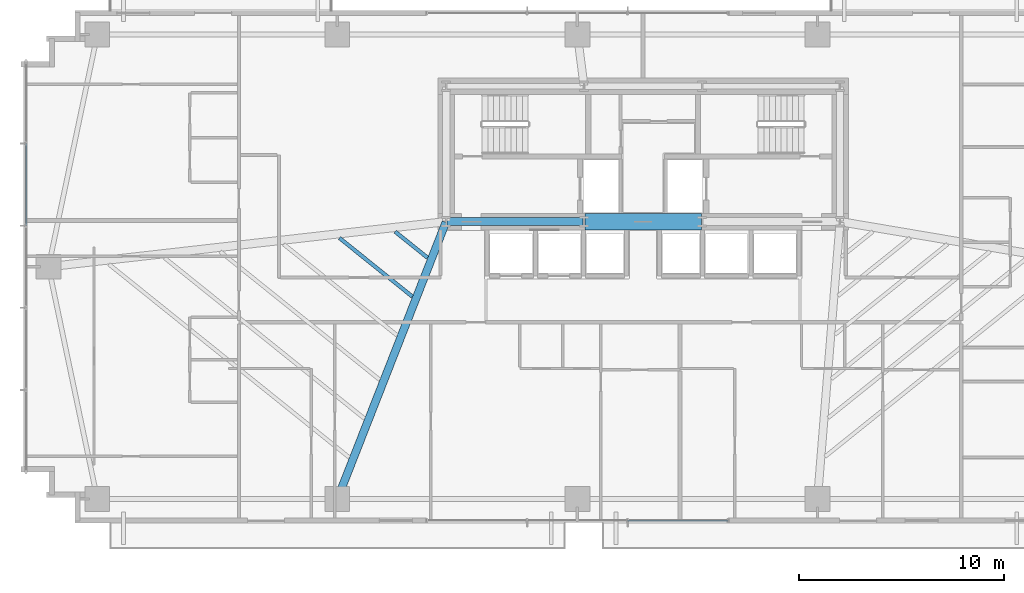
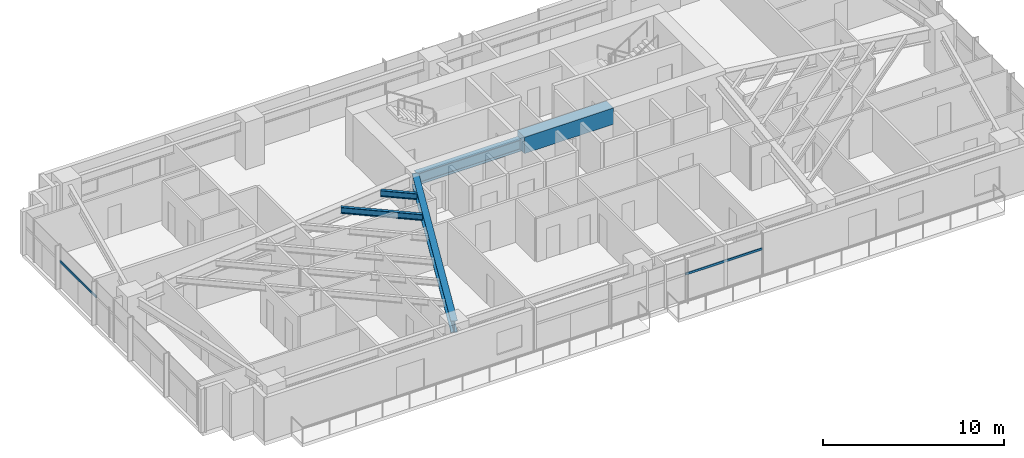
# One storey, part 7 of 25: 5 beams, 2 members, 2 elements without a shape of their own.
"""IFC4 building model written with IfcOpenShell, lengths in metres."""

import ifcopenshell
import ifcopenshell.guid

model = None  # the IFC model being written
_history = None  # IfcOwnerHistory: only IFC2X3 demands one
_inside = {}  # id of a spatial element -> (the spatial element, [elements in it])
_under = {}  # id of a project, library or spatial element -> (it, [spatial elements below it])
_declared = {}  # id of a project -> (the project, [libraries it declares])
_typed = {}  # id of a type object -> (the type object, [elements of that type])
_made_of = {}  # id of a material, layer set ... -> (it, [elements and type objects made of it])


def new_model(schema):
    """Start an empty IFC model of exactly this schema.

    Asked for "IFC4X3", IfcOpenShell would pick the latest addendum, in which some entities
    have other attributes; the version numbers below select the first issue.
    IFC2X3 requires an IfcOwnerHistory on every rooted entity: one is made here for all.
    """
    global model, _history
    if schema == "IFC4X3":
        model = ifcopenshell.file(schema_version=(4, 3, 0, 0))
    else:
        model = ifcopenshell.file(schema=schema)
    _inside.clear()
    _under.clear()
    _declared.clear()
    _typed.clear()
    _made_of.clear()
    _history = None
    if model.schema == "IFC2X3":
        org = make("IfcOrganization", Name="unknown")
        user = make(
            "IfcPersonAndOrganization",
            ThePerson=make("IfcPerson", FamilyName="unknown"),
            TheOrganization=org,
        )
        app = make(
            "IfcApplication",
            ApplicationDeveloper=org,
            Version="unknown",
            ApplicationFullName="unknown",
            ApplicationIdentifier="unknown",
        )
        _history = make(
            "IfcOwnerHistory",
            OwningUser=user,
            OwningApplication=app,
            ChangeAction="ADDED",
            CreationDate=0,
        )
    return model


def make(cls, **values):
    """One entity of the class cls with the attributes given. An attribute that is None is left unset."""
    return model.create_entity(
        cls, **{name: value for name, value in values.items() if value is not None}
    )


def rooted(cls, **values):
    """An entity with a GlobalId (a new one), such as an element, a storey or a relation."""
    return make(cls, GlobalId=ifcopenshell.guid.new(), OwnerHistory=_history, **values)


def si_unit(unit_type, name, prefix=None):
    """IfcSIUnit, for example si_unit("LENGTHUNIT", "METRE", prefix="MILLI")."""
    return make("IfcSIUnit", UnitType=unit_type, Prefix=prefix, Name=name)


def assignment(units):
    """IfcUnitAssignment: the units of a project."""
    return None if units is None else make("IfcUnitAssignment", Units=units)


def point(xyz):
    """IfcCartesianPoint."""
    return None if xyz is None else make("IfcCartesianPoint", Coordinates=xyz)


def direction(xyz):
    """IfcDirection."""
    return None if xyz is None else make("IfcDirection", DirectionRatios=xyz)


def frame(location, z_axis=None, x_axis=None):
    """IfcAxis2Placement3D, a coordinate frame: its origin and axes. An axis left out is left unset."""
    return make(
        "IfcAxis2Placement3D",
        Location=point(location),
        Axis=direction(z_axis),
        RefDirection=direction(x_axis),
    )


def frame_2d(location, x_axis=None):
    """IfcAxis2Placement2D, a coordinate frame in the plane: its origin and x axis."""
    return make(
        "IfcAxis2Placement2D", Location=point(location), RefDirection=direction(x_axis)
    )


def origin():
    """The frame at (0, 0, 0) with its axes left unset."""
    return frame((0.0, 0.0, 0.0))


def origin_2d():
    """The frame at (0, 0) in the plane with its x axis left unset."""
    return frame_2d((0.0, 0.0))


def place(relative_to, where):
    """IfcLocalPlacement: puts the frame where relative to a parent placement (None: the world)."""
    return make(
        "IfcLocalPlacement", PlacementRelTo=relative_to, RelativePlacement=where
    )


def context(
    kind, dimensions, precision=None, world=None, true_north=None, identifier=None
):
    """IfcGeometricRepresentationContext, for example the 3D "Model" context."""
    return make(
        "IfcGeometricRepresentationContext",
        ContextIdentifier=identifier,
        ContextType=kind,
        CoordinateSpaceDimension=dimensions,
        Precision=precision,
        WorldCoordinateSystem=world,
        TrueNorth=true_north,
    )


def subcontext(parent, identifier, kind, view, scale=None):
    """IfcGeometricRepresentationSubContext, for example "Body" below "Model"."""
    return make(
        "IfcGeometricRepresentationSubContext",
        ContextIdentifier=identifier,
        ContextType=kind,
        ParentContext=parent,
        TargetScale=scale,
        TargetView=view,
    )


def project(units=None, contexts=None):
    """IfcProject with its units and contexts."""
    return rooted(
        "IfcProject",
        Name="project",
        RepresentationContexts=contexts,
        UnitsInContext=assignment(units),
    )


def spatial(cls, under=None, at=None, **own):
    """A site, building, storey or space (cls), placed at a placement, below another one or the project."""
    s = rooted(cls, ObjectPlacement=at, **own)
    if under is not None:
        _under.setdefault(under.id(), (under, []))[1].append(s)
    return s


def profile(cls, at=None, kind="AREA", **sizes):
    """A parametric profile (cls). Its sizes go by their IFC names, for example OverallWidth=200.0."""
    return make(cls, ProfileType=kind, Position=at, **sizes)


def rectangle(**sizes):
    """IfcRectangleProfileDef."""
    return profile("IfcRectangleProfileDef", **sizes)


def hollow_rectangle(**sizes):
    """IfcRectangleHollowProfileDef."""
    return profile("IfcRectangleHollowProfileDef", **sizes)


def i_section(**sizes):
    """IfcIShapeProfileDef."""
    return profile("IfcIShapeProfileDef", **sizes)


def extrude(swept, where, along, depth):
    """IfcExtrudedAreaSolid: the profile swept, set in the frame where, extruded along a direction by depth."""
    return make(
        "IfcExtrudedAreaSolid",
        SweptArea=swept,
        Position=where,
        ExtrudedDirection=direction(along),
        Depth=depth,
    )


def shape(context_of_items, identifier, shape_type, items):
    """IfcShapeRepresentation: the items that make up one representation, for example the "Body"."""
    return make(
        "IfcShapeRepresentation",
        ContextOfItems=context_of_items,
        RepresentationIdentifier=identifier,
        RepresentationType=shape_type,
        Items=items,
    )


def source(mapping_origin, context_of_items, identifier, shape_type, items):
    """IfcRepresentationMap: a shape defined once, which mapped items show again and again."""
    return make(
        "IfcRepresentationMap",
        MappingOrigin=mapping_origin,
        MappedRepresentation=shape(context_of_items, identifier, shape_type, items),
    )


def transform(
    local_origin,
    x_axis=None,
    y_axis=None,
    z_axis=None,
    scale=None,
    scale2=None,
    scale3=None,
    uniform=True,
):
    """IfcCartesianTransformationOperator3D, or its non-uniform kind. x_axis, y_axis, z_axis: its Axis1, 2, 3."""
    if uniform:
        return make(
            "IfcCartesianTransformationOperator3D",
            Axis1=direction(x_axis),
            Axis2=direction(y_axis),
            LocalOrigin=point(local_origin),
            Scale=scale,
            Axis3=direction(z_axis),
        )
    return make(
        "IfcCartesianTransformationOperator3DnonUniform",
        Axis1=direction(x_axis),
        Axis2=direction(y_axis),
        LocalOrigin=point(local_origin),
        Scale=scale,
        Axis3=direction(z_axis),
        Scale2=scale2,
        Scale3=scale3,
    )


def mapped(mapping_source, mapping_target):
    """IfcMappedItem: shows the shape of a source again, moved by a transform."""
    return make(
        "IfcMappedItem", MappingSource=mapping_source, MappingTarget=mapping_target
    )


def material(Name=None, Category=None):
    """IfcMaterial."""
    return make("IfcMaterial", Name=Name, Category=Category)


def material_profile(
    of_material, cross_section, Name=None, Category=None, Priority=None
):
    """IfcMaterialProfile: a cross section and its material."""
    return make(
        "IfcMaterialProfile",
        Name=Name,
        Material=of_material,
        Profile=cross_section,
        Priority=Priority,
        Category=Category,
    )


def profile_set(profiles, Name=None, composite=None):
    """IfcMaterialProfileSet."""
    return make(
        "IfcMaterialProfileSet",
        Name=Name,
        MaterialProfiles=profiles,
        CompositeProfile=composite,
    )


def made_of(thing, what):
    """Note that an element or type object is made of a material, layer set ...; save() writes the relation."""
    if what is not None:
        _made_of.setdefault(what.id(), (what, []))[1].append(thing)
    return thing


def type_object(cls, material=None, **own):
    """A type object (cls), such as IfcWallType, which elements share."""
    return made_of(rooted(cls, **own), material)


def type_shapes(of_type, sources):
    """Give a type object the sources (RepresentationMaps) that its elements show as mapped items."""
    of_type.RepresentationMaps = sources


def element(
    cls,
    number,
    at=None,
    inside=None,
    cuts=None,
    type_object=None,
    material=None,
    context=None,
    identifier="Body",
    shape_type=None,
    held_by="IfcProductDefinitionShape",
    body=None,
    shapes=None,
    **own,
):
    """One element of the class cls, such as IfcWall. Its Tag is "e" and its number.

    at: its placement. inside: the storey or other place that contains it. cuts: it is an
    opening in that element (IfcRelVoidsElement). A single representation is given by context,
    identifier, shape_type and body (its items); several are given by shapes. held_by: the class
    of the entity that holds the representations. save() writes the other relations.
    """
    e = rooted(cls, Tag="e%d" % number, ObjectPlacement=at, **own)
    if body is not None:
        shapes = [shape(context, identifier, shape_type, body)]
    if shapes is not None:
        e.Representation = make(held_by, Representations=shapes)
    if inside is not None:
        _inside.setdefault(inside.id(), (inside, []))[1].append(e)
    if cuts is not None:
        rooted(
            "IfcRelVoidsElement", RelatingBuildingElement=cuts, RelatedOpeningElement=e
        )
    if type_object is not None:
        _typed.setdefault(type_object.id(), (type_object, []))[1].append(e)
    return made_of(e, material)


def aggregate(whole, parts):
    """IfcRelAggregates: a whole, such as a stair, and the parts it consists of."""
    return rooted("IfcRelAggregates", RelatingObject=whole, RelatedObjects=parts)


def save(model, path):
    """Write the relations noted so far, then the file.

    IfcRelAggregates (storeys below a building ...), IfcRelContainedInSpatialStructure (elements
    in a storey), IfcRelDefinesByType, IfcRelAssociatesMaterial and IfcRelDeclares: one each for
    every whole, place, type object, material and project.
    """
    for whole, parts in _under.values():
        aggregate(whole, parts)
    for where, things in _inside.values():
        rooted(
            "IfcRelContainedInSpatialStructure",
            RelatedElements=things,
            RelatingStructure=where,
        )
    for kind, things in _typed.values():
        rooted("IfcRelDefinesByType", RelatedObjects=things, RelatingType=kind)
    for what, things in _made_of.values():
        rooted("IfcRelAssociatesMaterial", RelatedObjects=things, RelatingMaterial=what)
    for by, libraries in _declared.values():
        rooted("IfcRelDeclares", RelatingContext=by, RelatedDefinitions=libraries)
    model.write(path)


model = new_model("IFC4")

# Units and contexts
model_context = context("Model", 3, precision=1e-05, world=origin(), true_north=direction((0.0, 1.0)))
body_context = subcontext(model_context, "Body", "Model", "MODEL_VIEW")
ifc_project = project(units=[si_unit("LENGTHUNIT", "METRE"), si_unit("AREAUNIT", "SQUARE_METRE"), si_unit("VOLUMEUNIT", "CUBIC_METRE"), si_unit("PLANEANGLEUNIT", "RADIAN"), si_unit("MASSUNIT", "GRAM", prefix="KILO")], contexts=[model_context])

# Site, building, storey
site_placement = place(None, origin())
site = spatial("IfcSite", under=ifc_project, at=site_placement, CompositionType="ELEMENT")
building_placement = place(site_placement, origin())
building = spatial("IfcBuilding", under=site, at=building_placement, Name="Astriad Promenade Condominiums", CompositionType="ELEMENT")
storey_placement = place(building_placement, frame((0.0, 0.0, 35.800048828125)))
storey = spatial("IfcBuildingStorey", under=building, at=storey_placement, Name="L09", CompositionType="ELEMENT", Elevation=35.800048828125)

# Beams
ifc_material_1 = material(Name="Steel ASTM A992 Grade 50", Category="steel")
ifc_material_profile_1 = material_profile(ifc_material_1, i_section(OverallWidth=0.3837890625, OverallDepth=0.785888671875, WebThickness=0.019775390625, FlangeThickness=0.033447265625, FilletRadius=0.021484375, at=origin_2d()), Name="W30X211")
ifc_profile_set_1 = profile_set([ifc_material_profile_1], Name="Steel ASTM A992 Grade 50")
beam_type_1 = type_object("IfcBeamType", Name="STEEL FLOOR GIRDER W30X211", PredefinedType="BEAM", material=ifc_profile_set_1)
shared_shape_1 = source(origin(), body_context, "Body", "SweptSolid", [
    extrude(i_section(OverallWidth=0.3837890625, OverallDepth=0.785888671875, WebThickness=0.019775390625, FlangeThickness=0.033447265625, FilletRadius=0.021484375, at=origin_2d()), origin(), (0.0, 0.0, 1.0), 6.64013671875),
])
beam_1_placement = place(storey_placement, frame((26.43994140625, 17.39990234375, 2.547119140625), z_axis=(1.0, 0.0, 0.0), x_axis=(0.0, 1.0, 0.0)))
element("IfcBeam", 1, at=beam_1_placement, inside=storey, type_object=beam_type_1, Name="Core Ring Beam CG-S1-L09", PredefinedType="BEAM", context=body_context, shape_type="MappedRepresentation", body=[
    mapped(shared_shape_1, transform((0.0, 0.0, 0.0), scale=1.0)),
])
ifc_material_2 = material(Name="Concrete C80/95", Category="concrete")
ifc_material_profile_2 = material_profile(ifc_material_2, rectangle(XDim=0.800048828125, YDim=1.10009765625, at=origin_2d()), Name="RC-BM-800X1100")
ifc_profile_set_2 = profile_set([ifc_material_profile_2], Name="Concrete C80/95")
beam_type_2 = type_object("IfcBeamType", Name="CONCRETE CORE COUPLING LINTEL 800X1100", PredefinedType="LINTEL", material=ifc_profile_set_2)
shared_shape_2 = source(origin(), body_context, "Body", "SweptSolid", [
    extrude(rectangle(XDim=0.800048828125, YDim=1.10009765625, at=origin_2d()), origin(), (0.0, 0.0, 1.0), 5.68017578125),
])
type_shapes(beam_type_2, [shared_shape_2])
beam_2_placement = place(storey_placement, frame((33.159912109375, 17.39990234375, 2.6298828125), z_axis=(1.0, 0.0, 0.0), x_axis=(0.0, 1.0, 0.0)))
element("IfcBeam", 2, at=beam_2_placement, inside=storey, type_object=beam_type_2, Name="Core Ring Beam CG-S2-L09", PredefinedType="LINTEL", context=body_context, shape_type="MappedRepresentation", body=[
    mapped(shared_shape_2, transform((0.0, 0.0, 0.0), scale=1.0)),
])
shared_shape_3 = source(origin(), body_context, "Body", "SweptSolid", [
    extrude(i_section(OverallWidth=0.3837890625, OverallDepth=0.785888671875, WebThickness=0.019775390625, FlangeThickness=0.033447265625, FilletRadius=0.021484375, at=origin_2d()), origin(), (0.0, 0.0, 1.0), 14.44189453125),
])
type_shapes(beam_type_1, [shared_shape_1, shared_shape_3])
beam_3_placement = place(storey_placement, frame((21.114501953125, 3.917236328125, 2.547119140625), z_axis=(0.364981228757, 0.931014877784, 0.0), x_axis=(-0.931014877784, 0.364981228757, 0.0)))
element("IfcBeam", 3, at=beam_3_placement, inside=storey, type_object=beam_type_1, Name="Primary Floor Girder PG-W2-L09", PredefinedType="BEAM", context=body_context, shape_type="MappedRepresentation", body=[
    mapped(shared_shape_3, transform((0.0, 0.0, 0.0), scale=1.0)),
])
ifc_material_profile_3 = material_profile(ifc_material_1, i_section(OverallWidth=0.180908203125, OverallDepth=0.417236328125, WebThickness=0.010986328125, FlangeThickness=0.018310546875, FilletRadius=0.013916015625, at=origin_2d()), Name="W16X57")
ifc_profile_set_3 = profile_set([ifc_material_profile_3], Name="Steel ASTM A992 Grade 50")
beam_type_3 = type_object("IfcBeamType", Name="STEEL FLOOR JOIST W16X57", PredefinedType="JOIST", material=ifc_profile_set_3)
shared_shape_4 = source(origin(), body_context, "Body", "SweptSolid", [
    extrude(i_section(OverallWidth=0.180908203125, OverallDepth=0.417236328125, WebThickness=0.010986328125, FlangeThickness=0.018310546875, FilletRadius=0.013916015625, at=origin_2d()), origin(), (0.0, 0.0, 1.0), 4.555419921875),
])
beam_4_placement = place(storey_placement, frame((21.201416015625, 16.600830078125, 2.7314453125), z_axis=(0.779365920634, -0.626569039894, 0.0), x_axis=(0.626569039894, 0.779365920634, 0.0)))
element("IfcBeam", 4, at=beam_4_placement, inside=storey, type_object=beam_type_3, Name="Secondary Composite Floor Joist JW1-5-L09", PredefinedType="JOIST", context=body_context, shape_type="MappedRepresentation", body=[
    mapped(shared_shape_4, transform((0.0, 0.0, 0.0), scale=1.0)),
])
shared_shape_5 = source(origin(), body_context, "Body", "SweptSolid", [
    extrude(i_section(OverallWidth=0.180908203125, OverallDepth=0.417236328125, WebThickness=0.010986328125, FlangeThickness=0.018310546875, FilletRadius=0.013916015625, at=origin_2d()), origin(), (0.0, 0.0, 1.0), 2.02587890625),
])
type_shapes(beam_type_3, [shared_shape_4, shared_shape_5])
beam_5_placement = place(storey_placement, frame((23.914794921875, 16.90869140625, 2.7314453125), z_axis=(0.779373362939, -0.626559782576, 0.0), x_axis=(0.626559782576, 0.779373362939, 0.0)))
element("IfcBeam", 5, at=beam_5_placement, inside=storey, type_object=beam_type_3, Name="Secondary Composite Floor Joist JW1-6-L09", PredefinedType="JOIST", context=body_context, shape_type="MappedRepresentation", body=[
    mapped(shared_shape_5, transform((0.0, 0.0, 0.0), scale=1.0)),
])

# Curtain wall, member
ifc_material_3 = material(Name="Anodised aluminium Black Dark Glass Unitised", Category="aluminium")
curtain_wall_type = type_object("IfcCurtainWallType", Name="CW-B1-DARK", PredefinedType="USERDEFINED", material=ifc_material_3)
curtain_wall_1_placement = place(storey_placement, origin())
curtain_wall_1 = element("IfcCurtainWall", 6, at=curtain_wall_1_placement, inside=storey, type_object=curtain_wall_type, Name="CW-L09-W", ObjectType="UNITISED_CURTAIN_WALL", PredefinedType="USERDEFINED")
ifc_material_4 = material(Name="Anodised aluminium 6063-T6 Black", Category="aluminium")
ifc_material_profile_4 = material_profile(ifc_material_4, hollow_rectangle(XDim=0.074951171875, YDim=0.14990234375, WallThickness=0.004150390625, at=origin_2d()), Name="ALU-TRN-75X150")
ifc_profile_set_4 = profile_set([ifc_material_profile_4], Name="Anodised aluminium 6063-T6 Black")
member_type = type_object("IfcMemberType", Name="TRN-ALU-TRN-75X150", PredefinedType="USERDEFINED", material=ifc_profile_set_4)
shared_shape_6 = source(origin(), body_context, "Body", "SweptSolid", [
    extrude(hollow_rectangle(XDim=0.074951171875, YDim=0.14990234375, WallThickness=0.004150390625, at=origin_2d()), origin(), (0.0, 0.0, 1.0), 4.0),
])
member_1_placement = place(storey_placement, frame((5.929931640625, 17.199951171875, 1.82275390625), z_axis=(0.0, 1.0, 0.0), x_axis=(-1.0, 0.0, 0.0)))
member_1 = element("IfcMember", 7, at=member_1_placement, type_object=member_type, Name="CW-L09-W-TRN-03-0", ObjectType="TRANSOM", PredefinedType="USERDEFINED", context=body_context, shape_type="MappedRepresentation", body=[
    mapped(shared_shape_6, transform((0.0, 0.0, 0.0), scale=1.0)),
])
aggregate(curtain_wall_1, [member_1])

curtain_wall_2_placement = place(storey_placement, origin())
curtain_wall_2 = element("IfcCurtainWall", 8, at=curtain_wall_2_placement, inside=storey, type_object=curtain_wall_type, Name="CW-L09-S", ObjectType="UNITISED_CURTAIN_WALL", PredefinedType="USERDEFINED")
shared_shape_7 = source(origin(), body_context, "Body", "SweptSolid", [
    extrude(hollow_rectangle(XDim=0.074951171875, YDim=0.14990234375, WallThickness=0.004150390625, at=origin_2d()), origin(), (0.0, 0.0, 1.0), 4.89990234375),
])
type_shapes(member_type, [shared_shape_6, shared_shape_7])
member_2_placement = place(storey_placement, frame((40.14990234375, 2.830078125, 1.82275390625), z_axis=(-1.0, 0.0, 0.0), x_axis=(0.0, -1.0, 0.0)))
member_2 = element("IfcMember", 9, at=member_2_placement, type_object=member_type, Name="CW-L09-S-TRN-00-0", ObjectType="TRANSOM", PredefinedType="USERDEFINED", context=body_context, shape_type="MappedRepresentation", body=[
    mapped(shared_shape_7, transform((0.0, 0.0, 0.0), scale=1.0)),
])
aggregate(curtain_wall_2, [member_2])

save(model, "model.ifc")
